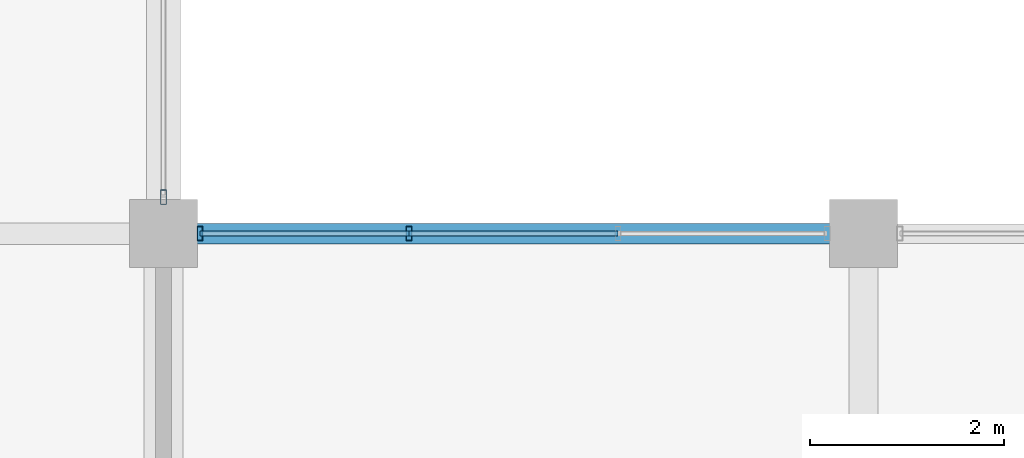
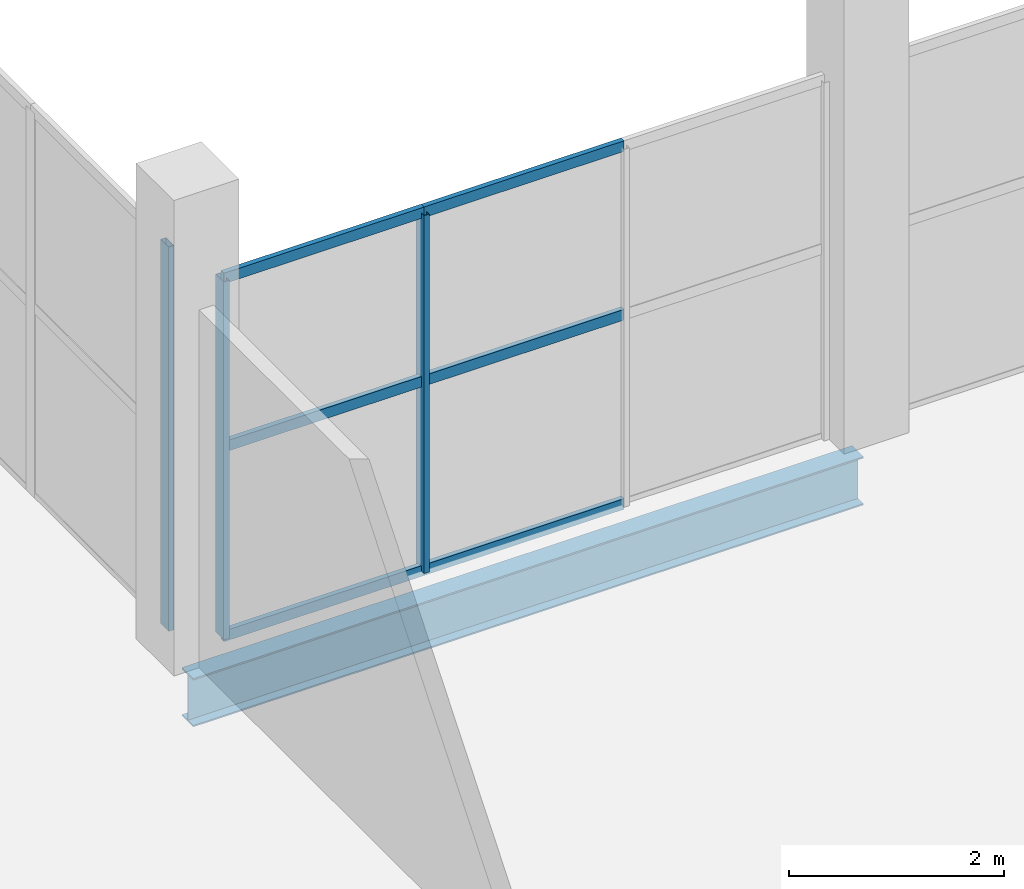
# One storey, part 65 of 147: 9 members, 1 beam, 2 elements without a shape of their own.
"""IFC4 building model written with IfcOpenShell, lengths in metres."""

import ifcopenshell
import ifcopenshell.guid

model = None  # the IFC model being written
_history = None  # IfcOwnerHistory: only IFC2X3 demands one
_inside = {}  # id of a spatial element -> (the spatial element, [elements in it])
_under = {}  # id of a project, library or spatial element -> (it, [spatial elements below it])
_declared = {}  # id of a project -> (the project, [libraries it declares])
_typed = {}  # id of a type object -> (the type object, [elements of that type])
_made_of = {}  # id of a material, layer set ... -> (it, [elements and type objects made of it])


def new_model(schema):
    """Start an empty IFC model of exactly this schema.

    Asked for "IFC4X3", IfcOpenShell would pick the latest addendum, in which some entities
    have other attributes; the version numbers below select the first issue.
    IFC2X3 requires an IfcOwnerHistory on every rooted entity: one is made here for all.
    """
    global model, _history
    if schema == "IFC4X3":
        model = ifcopenshell.file(schema_version=(4, 3, 0, 0))
    else:
        model = ifcopenshell.file(schema=schema)
    _inside.clear()
    _under.clear()
    _declared.clear()
    _typed.clear()
    _made_of.clear()
    _history = None
    if model.schema == "IFC2X3":
        org = make("IfcOrganization", Name="unknown")
        user = make(
            "IfcPersonAndOrganization",
            ThePerson=make("IfcPerson", FamilyName="unknown"),
            TheOrganization=org,
        )
        app = make(
            "IfcApplication",
            ApplicationDeveloper=org,
            Version="unknown",
            ApplicationFullName="unknown",
            ApplicationIdentifier="unknown",
        )
        _history = make(
            "IfcOwnerHistory",
            OwningUser=user,
            OwningApplication=app,
            ChangeAction="ADDED",
            CreationDate=0,
        )
    return model


def make(cls, **values):
    """One entity of the class cls with the attributes given. An attribute that is None is left unset."""
    return model.create_entity(
        cls, **{name: value for name, value in values.items() if value is not None}
    )


def rooted(cls, **values):
    """An entity with a GlobalId (a new one), such as an element, a storey or a relation."""
    return make(cls, GlobalId=ifcopenshell.guid.new(), OwnerHistory=_history, **values)


def si_unit(unit_type, name, prefix=None):
    """IfcSIUnit, for example si_unit("LENGTHUNIT", "METRE", prefix="MILLI")."""
    return make("IfcSIUnit", UnitType=unit_type, Prefix=prefix, Name=name)


def assignment(units):
    """IfcUnitAssignment: the units of a project."""
    return None if units is None else make("IfcUnitAssignment", Units=units)


def point(xyz):
    """IfcCartesianPoint."""
    return None if xyz is None else make("IfcCartesianPoint", Coordinates=xyz)


def direction(xyz):
    """IfcDirection."""
    return None if xyz is None else make("IfcDirection", DirectionRatios=xyz)


def frame(location, z_axis=None, x_axis=None):
    """IfcAxis2Placement3D, a coordinate frame: its origin and axes. An axis left out is left unset."""
    return make(
        "IfcAxis2Placement3D",
        Location=point(location),
        Axis=direction(z_axis),
        RefDirection=direction(x_axis),
    )


def frame_2d(location, x_axis=None):
    """IfcAxis2Placement2D, a coordinate frame in the plane: its origin and x axis."""
    return make(
        "IfcAxis2Placement2D", Location=point(location), RefDirection=direction(x_axis)
    )


def origin():
    """The frame at (0, 0, 0) with its axes left unset."""
    return frame((0.0, 0.0, 0.0))


def origin_2d():
    """The frame at (0, 0) in the plane with its x axis left unset."""
    return frame_2d((0.0, 0.0))


def place(relative_to, where):
    """IfcLocalPlacement: puts the frame where relative to a parent placement (None: the world)."""
    return make(
        "IfcLocalPlacement", PlacementRelTo=relative_to, RelativePlacement=where
    )


def context(
    kind, dimensions, precision=None, world=None, true_north=None, identifier=None
):
    """IfcGeometricRepresentationContext, for example the 3D "Model" context."""
    return make(
        "IfcGeometricRepresentationContext",
        ContextIdentifier=identifier,
        ContextType=kind,
        CoordinateSpaceDimension=dimensions,
        Precision=precision,
        WorldCoordinateSystem=world,
        TrueNorth=true_north,
    )


def subcontext(parent, identifier, kind, view, scale=None):
    """IfcGeometricRepresentationSubContext, for example "Body" below "Model"."""
    return make(
        "IfcGeometricRepresentationSubContext",
        ContextIdentifier=identifier,
        ContextType=kind,
        ParentContext=parent,
        TargetScale=scale,
        TargetView=view,
    )


def project(units=None, contexts=None):
    """IfcProject with its units and contexts."""
    return rooted(
        "IfcProject",
        Name="project",
        RepresentationContexts=contexts,
        UnitsInContext=assignment(units),
    )


def spatial(cls, under=None, at=None, **own):
    """A site, building, storey or space (cls), placed at a placement, below another one or the project."""
    s = rooted(cls, ObjectPlacement=at, **own)
    if under is not None:
        _under.setdefault(under.id(), (under, []))[1].append(s)
    return s


def profile(cls, at=None, kind="AREA", **sizes):
    """A parametric profile (cls). Its sizes go by their IFC names, for example OverallWidth=200.0."""
    return make(cls, ProfileType=kind, Position=at, **sizes)


def hollow_rectangle(**sizes):
    """IfcRectangleHollowProfileDef."""
    return profile("IfcRectangleHollowProfileDef", **sizes)


def i_section(**sizes):
    """IfcIShapeProfileDef."""
    return profile("IfcIShapeProfileDef", **sizes)


def extrude(swept, where, along, depth):
    """IfcExtrudedAreaSolid: the profile swept, set in the frame where, extruded along a direction by depth."""
    return make(
        "IfcExtrudedAreaSolid",
        SweptArea=swept,
        Position=where,
        ExtrudedDirection=direction(along),
        Depth=depth,
    )


def shape(context_of_items, identifier, shape_type, items):
    """IfcShapeRepresentation: the items that make up one representation, for example the "Body"."""
    return make(
        "IfcShapeRepresentation",
        ContextOfItems=context_of_items,
        RepresentationIdentifier=identifier,
        RepresentationType=shape_type,
        Items=items,
    )


def material(Name=None, Category=None):
    """IfcMaterial."""
    return make("IfcMaterial", Name=Name, Category=Category)


def layer(
    of_material, thickness, ventilated=None, Name=None, Category=None, Priority=None
):
    """IfcMaterialLayer: one layer of a wall or slab, of a material (None: an air gap)."""
    return make(
        "IfcMaterialLayer",
        Material=of_material,
        LayerThickness=thickness,
        IsVentilated=ventilated,
        Name=Name,
        Category=Category,
        Priority=Priority,
    )


def layer_set(layers, Name=None):
    """IfcMaterialLayerSet."""
    return make("IfcMaterialLayerSet", MaterialLayers=layers, LayerSetName=Name)


def material_profile(
    of_material, cross_section, Name=None, Category=None, Priority=None
):
    """IfcMaterialProfile: a cross section and its material."""
    return make(
        "IfcMaterialProfile",
        Name=Name,
        Material=of_material,
        Profile=cross_section,
        Priority=Priority,
        Category=Category,
    )


def profile_set(profiles, Name=None, composite=None):
    """IfcMaterialProfileSet."""
    return make(
        "IfcMaterialProfileSet",
        Name=Name,
        MaterialProfiles=profiles,
        CompositeProfile=composite,
    )


def made_of(thing, what):
    """Note that an element or type object is made of a material, layer set ...; save() writes the relation."""
    if what is not None:
        _made_of.setdefault(what.id(), (what, []))[1].append(thing)
    return thing


def type_object(cls, material=None, **own):
    """A type object (cls), such as IfcWallType, which elements share."""
    return made_of(rooted(cls, **own), material)


def element(
    cls,
    number,
    at=None,
    inside=None,
    cuts=None,
    type_object=None,
    material=None,
    context=None,
    identifier="Body",
    shape_type=None,
    held_by="IfcProductDefinitionShape",
    body=None,
    shapes=None,
    **own,
):
    """One element of the class cls, such as IfcWall. Its Tag is "e" and its number.

    at: its placement. inside: the storey or other place that contains it. cuts: it is an
    opening in that element (IfcRelVoidsElement). A single representation is given by context,
    identifier, shape_type and body (its items); several are given by shapes. held_by: the class
    of the entity that holds the representations. save() writes the other relations.
    """
    e = rooted(cls, Tag="e%d" % number, ObjectPlacement=at, **own)
    if body is not None:
        shapes = [shape(context, identifier, shape_type, body)]
    if shapes is not None:
        e.Representation = make(held_by, Representations=shapes)
    if inside is not None:
        _inside.setdefault(inside.id(), (inside, []))[1].append(e)
    if cuts is not None:
        rooted(
            "IfcRelVoidsElement", RelatingBuildingElement=cuts, RelatedOpeningElement=e
        )
    if type_object is not None:
        _typed.setdefault(type_object.id(), (type_object, []))[1].append(e)
    return made_of(e, material)


def aggregate(whole, parts):
    """IfcRelAggregates: a whole, such as a stair, and the parts it consists of."""
    return rooted("IfcRelAggregates", RelatingObject=whole, RelatedObjects=parts)


def save(model, path):
    """Write the relations noted so far, then the file.

    IfcRelAggregates (storeys below a building ...), IfcRelContainedInSpatialStructure (elements
    in a storey), IfcRelDefinesByType, IfcRelAssociatesMaterial and IfcRelDeclares: one each for
    every whole, place, type object, material and project.
    """
    for whole, parts in _under.values():
        aggregate(whole, parts)
    for where, things in _inside.values():
        rooted(
            "IfcRelContainedInSpatialStructure",
            RelatedElements=things,
            RelatingStructure=where,
        )
    for kind, things in _typed.values():
        rooted("IfcRelDefinesByType", RelatedObjects=things, RelatingType=kind)
    for what, things in _made_of.values():
        rooted("IfcRelAssociatesMaterial", RelatedObjects=things, RelatingMaterial=what)
    for by, libraries in _declared.values():
        rooted("IfcRelDeclares", RelatingContext=by, RelatedDefinitions=libraries)
    model.write(path)


model = new_model("IFC4")

# Units and contexts
model_context = context("Model", 3, precision=1e-05, world=origin(), true_north=direction((0.0, 1.0)))
body_context = subcontext(model_context, "Body", "Model", "MODEL_VIEW")
ifc_project = project(units=[si_unit("LENGTHUNIT", "METRE"), si_unit("AREAUNIT", "SQUARE_METRE"), si_unit("VOLUMEUNIT", "CUBIC_METRE"), si_unit("PLANEANGLEUNIT", "RADIAN"), si_unit("MASSUNIT", "GRAM", prefix="KILO")], contexts=[model_context])

# Site, building, storey
site_placement = place(None, origin())
site = spatial("IfcSite", under=ifc_project, at=site_placement, CompositionType="ELEMENT")
building_placement = place(site_placement, origin())
building = spatial("IfcBuilding", under=site, at=building_placement, Name="Sundgate Opera House", CompositionType="ELEMENT")
storey_placement = place(building_placement, frame((0.0, 0.0, 6.0)))
storey = spatial("IfcBuildingStorey", under=building, at=storey_placement, Name="L01", CompositionType="ELEMENT", Elevation=6.0)

# Beam
ifc_material_1 = material(Name="Steel S355J2", Category="steel")
ifc_material_profile_1 = material_profile(ifc_material_1, i_section(OverallWidth=0.2099609375, OverallDepth=0.550048828125, WebThickness=0.010986328125, FlangeThickness=0.01708984375, at=origin_2d()), Name="IPE 550")
ifc_profile_set_1 = profile_set([ifc_material_profile_1], Name="Steel S355J2")
beam_type = type_object("IfcBeamType", Name="BM-GR-IPE550", PredefinedType="BEAM", material=ifc_profile_set_1)
beam_placement = place(storey_placement, frame((124.199951171875, 87.0, -0.574951171875), z_axis=(1.0, 0.0, 0.0), x_axis=(0.0, 1.0, 0.0)))
element("IfcBeam", 1, at=beam_placement, inside=storey, type_object=beam_type, Name="L01 Primary E-W Girder B1395", PredefinedType="BEAM", context=body_context, shape_type="SweptSolid", body=[
    extrude(i_section(OverallWidth=0.2099609375, OverallDepth=0.550048828125, WebThickness=0.010986328125, FlangeThickness=0.01708984375, at=origin_2d()), origin(), (0.0, 0.0, 1.0), 7.199951171875),
])

# Curtain wall, members
ifc_material_2 = material(Name="Anodized aluminium and low-iron glass", Category="aluminium")
ifc_layer = layer(ifc_material_2, 0.159912109375)
ifc_layer_set = layer_set([ifc_layer], Name="Anodized aluminium and low-iron glass")
curtain_wall_type = type_object("IfcCurtainWallType", Name="CW-STUDIO-DARK", PredefinedType="NOTDEFINED", material=ifc_layer_set)
curtain_wall_1_placement = place(storey_placement, origin())
curtain_wall_1 = element("IfcCurtainWall", 2, at=curtain_wall_1_placement, inside=storey, type_object=curtain_wall_type, Name="L01 Curtain Wall CW094", PredefinedType="NOTDEFINED")
ifc_material_3 = material(Name="Anodized aluminium EN AW-6063", Category="aluminium")
ifc_material_profile_2 = material_profile(ifc_material_3, hollow_rectangle(XDim=0.06005859375, YDim=0.14990234375, WallThickness=0.00390625, at=origin_2d()), Name="CWM 150x60x4")
ifc_profile_set_2 = profile_set([ifc_material_profile_2], Name="Anodized aluminium EN AW-6063")
member_type_1 = type_object("IfcMemberType", Name="CWM-ALU-150x60", PredefinedType="MULLION", material=ifc_profile_set_2)
member_1_placement = place(storey_placement, frame((124.574951171875, 87.0, 0.0), z_axis=(0.0, 0.0, 1.0), x_axis=(1.0, 0.0, 0.0)))
member_1 = element("IfcMember", 3, at=member_1_placement, type_object=member_type_1, Name="CW094 Mullion 1", PredefinedType="MULLION", context=body_context, shape_type="SweptSolid", body=[
    extrude(hollow_rectangle(XDim=0.06005859375, YDim=0.14990234375, WallThickness=0.00390625, at=origin_2d()), origin(), (0.0, 0.0, 1.0), 4.06494140625),
])
member_2_placement = place(storey_placement, frame((126.72509765625, 87.0, 0.0), z_axis=(0.0, 0.0, 1.0), x_axis=(1.0, 0.0, 0.0)))
member_2 = element("IfcMember", 4, at=member_2_placement, type_object=member_type_1, Name="CW094 Mullion 2", PredefinedType="MULLION", context=body_context, shape_type="SweptSolid", body=[
    extrude(hollow_rectangle(XDim=0.06005859375, YDim=0.14990234375, WallThickness=0.00390625, at=origin_2d()), origin(), (0.0, 0.0, 1.0), 4.06494140625),
])

# Curtain wall, member
curtain_wall_2_placement = place(storey_placement, origin())
curtain_wall_2 = element("IfcCurtainWall", 5, at=curtain_wall_2_placement, inside=storey, type_object=curtain_wall_type, Name="L01 Curtain Wall CW102", PredefinedType="NOTDEFINED")
member_3_placement = place(storey_placement, frame((124.199951171875, 87.375, 0.0), z_axis=(0.0, 0.0, 1.0), x_axis=(1.0, 0.0, 0.0)))
member_3 = element("IfcMember", 6, at=member_3_placement, type_object=member_type_1, Name="CW102 Mullion 1", PredefinedType="MULLION", context=body_context, shape_type="SweptSolid", body=[
    extrude(hollow_rectangle(XDim=0.06005859375, YDim=0.14990234375, WallThickness=0.00390625, at=origin_2d()), origin(), (0.0, 0.0, 1.0), 4.364990234375),
])
aggregate(curtain_wall_2, [member_3])

# Member
ifc_material_4 = material(Name="Anodized aluminium EN AW-6063", Category="aluminium")
ifc_material_profile_3 = material_profile(ifc_material_4, hollow_rectangle(XDim=0.054931640625, YDim=0.1201171875, WallThickness=0.00390625, at=origin_2d()), Name="CWT 120x55x4")
ifc_profile_set_3 = profile_set([ifc_material_profile_3], Name="Anodized aluminium EN AW-6063")
member_type_2 = type_object("IfcMemberType", Name="CWT-ALU-120x55", PredefinedType="USERDEFINED", material=ifc_profile_set_3)
member_4_placement = place(storey_placement, frame((124.574951171875, 87.0, 0.0), z_axis=(1.0, 0.0, 0.0), x_axis=(0.0, 1.0, 0.0)))
member_4 = element("IfcMember", 7, at=member_4_placement, type_object=member_type_2, Name="CW094 Transom 1", ObjectType="TRANSOM", PredefinedType="USERDEFINED", context=body_context, shape_type="SweptSolid", body=[
    extrude(hollow_rectangle(XDim=0.054931640625, YDim=0.1201171875, WallThickness=0.00390625, at=origin_2d()), origin(), (0.0, 0.0, 1.0), 2.150146484375),
])

member_5_placement = place(storey_placement, frame((124.574951171875, 87.0, 2.14990234375), z_axis=(1.0, 0.0, 0.0), x_axis=(0.0, 1.0, 0.0)))
member_5 = element("IfcMember", 8, at=member_5_placement, type_object=member_type_2, Name="CW094 Transom 2", ObjectType="TRANSOM", PredefinedType="USERDEFINED", context=body_context, shape_type="SweptSolid", body=[
    extrude(hollow_rectangle(XDim=0.054931640625, YDim=0.1201171875, WallThickness=0.00390625, at=origin_2d()), origin(), (0.0, 0.0, 1.0), 2.150146484375),
])

member_6_placement = place(storey_placement, frame((124.574951171875, 87.0, 4.06494140625), z_axis=(1.0, 0.0, 0.0), x_axis=(0.0, 1.0, 0.0)))
member_6 = element("IfcMember", 9, at=member_6_placement, type_object=member_type_2, Name="CW094 Transom 3", ObjectType="TRANSOM", PredefinedType="USERDEFINED", context=body_context, shape_type="SweptSolid", body=[
    extrude(hollow_rectangle(XDim=0.054931640625, YDim=0.1201171875, WallThickness=0.00390625, at=origin_2d()), origin(), (0.0, 0.0, 1.0), 2.150146484375),
])

member_7_placement = place(storey_placement, frame((126.72509765625, 87.0, 0.0), z_axis=(1.0, 0.0, 0.0), x_axis=(0.0, 1.0, 0.0)))
member_7 = element("IfcMember", 10, at=member_7_placement, type_object=member_type_2, Name="CW094 Transom 4", ObjectType="TRANSOM", PredefinedType="USERDEFINED", context=body_context, shape_type="SweptSolid", body=[
    extrude(hollow_rectangle(XDim=0.054931640625, YDim=0.1201171875, WallThickness=0.00390625, at=origin_2d()), origin(), (0.0, 0.0, 1.0), 2.14990234375),
])

member_8_placement = place(storey_placement, frame((126.72509765625, 87.0, 2.14990234375), z_axis=(1.0, 0.0, 0.0), x_axis=(0.0, 1.0, 0.0)))
member_8 = element("IfcMember", 11, at=member_8_placement, type_object=member_type_2, Name="CW094 Transom 5", ObjectType="TRANSOM", PredefinedType="USERDEFINED", context=body_context, shape_type="SweptSolid", body=[
    extrude(hollow_rectangle(XDim=0.054931640625, YDim=0.1201171875, WallThickness=0.00390625, at=origin_2d()), origin(), (0.0, 0.0, 1.0), 2.14990234375),
])

member_9_placement = place(storey_placement, frame((126.72509765625, 87.0, 4.06494140625), z_axis=(1.0, 0.0, 0.0), x_axis=(0.0, 1.0, 0.0)))
member_9 = element("IfcMember", 12, at=member_9_placement, type_object=member_type_2, Name="CW094 Transom 6", ObjectType="TRANSOM", PredefinedType="USERDEFINED", context=body_context, shape_type="SweptSolid", body=[
    extrude(hollow_rectangle(XDim=0.054931640625, YDim=0.1201171875, WallThickness=0.00390625, at=origin_2d()), origin(), (0.0, 0.0, 1.0), 2.14990234375),
])

aggregate(curtain_wall_1, [member_1, member_2, member_4, member_5, member_6, member_7, member_8, member_9])

save(model, "model.ifc")
